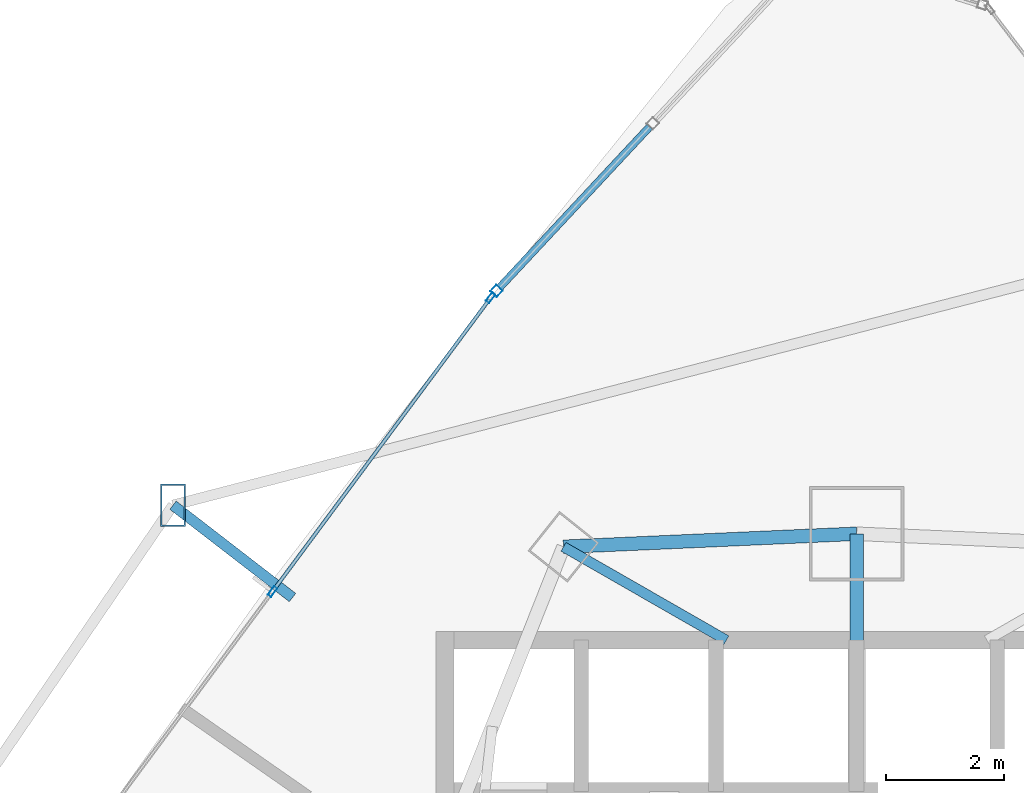
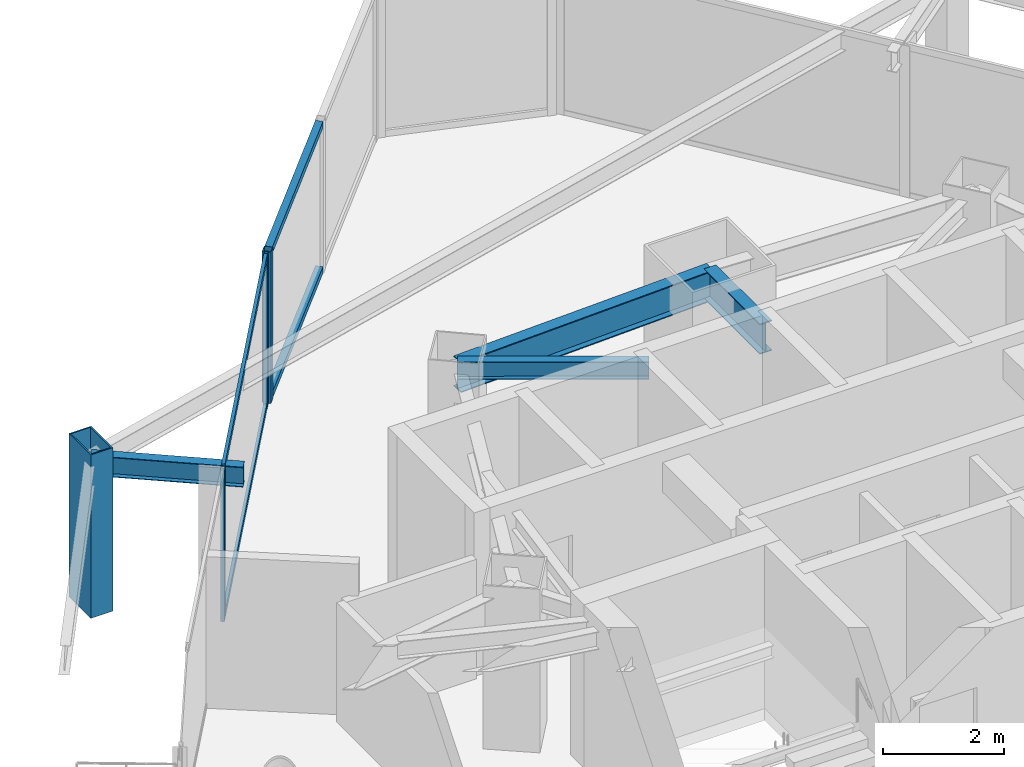
# One storey, part 22 of 34: 8 members, 4 beams, 2 elements without a shape of their own.
"""IFC4 building model written with IfcOpenShell, lengths in metres."""

from ifc_helpers import new_model, si_unit, direction, frame, origin, origin_2d, place, context, subcontext, project, spatial, hollow_rectangle, i_section, extrude, material, layer, layer_set, material_profile, profile_set, type_object, element, aggregate, save


model = new_model("IFC4")

# Units and contexts
model_context = context("Model", 3, precision=1e-05, world=origin(), true_north=direction((0.0, 1.0)))
body_context = subcontext(model_context, "Body", "Model", "MODEL_VIEW")
ifc_project = project(units=[si_unit("LENGTHUNIT", "METRE"), si_unit("AREAUNIT", "SQUARE_METRE"), si_unit("VOLUMEUNIT", "CUBIC_METRE"), si_unit("PLANEANGLEUNIT", "RADIAN"), si_unit("MASSUNIT", "GRAM", prefix="KILO")], contexts=[model_context])

# Site, building, storey
site_placement = place(None, origin())
site = spatial("IfcSite", under=ifc_project, at=site_placement, CompositionType="ELEMENT")
building_placement = place(site_placement, origin())
building = spatial("IfcBuilding", under=site, at=building_placement, Name="Orvanel Arch Residences", CompositionType="ELEMENT")
storey_placement = place(building_placement, frame((0.0, 0.0, 64.25)))
storey = spatial("IfcBuildingStorey", under=building, at=storey_placement, Name="L17", CompositionType="ELEMENT", Elevation=64.25)

# Beams
ifc_material_1 = material(Name="Structural steel AS/NZS 3679.1 Grade 300 (300 MPa)", Category="steel")
ifc_material_profile_1 = material_profile(ifc_material_1, i_section(OverallWidth=0.22900390625, OverallDepth=0.612060546875, WebThickness=0.011962890625, FlangeThickness=0.01953125, at=origin_2d()), Name="610UB125")
ifc_profile_set_1 = profile_set([ifc_material_profile_1], Name="Structural steel AS/NZS 3679.1 Grade 300 (300 MPa)")
beam_type_1 = type_object("IfcBeamType", Name="BG-610UB", PredefinedType="BEAM", material=ifc_profile_set_1)
beam_1_placement = place(storey_placement, frame((33.0, 39.550048828125, 2.75390625), z_axis=(0.0, 1.0, 0.0), x_axis=(-1.0, 0.0, 0.0)))
element("IfcBeam", 1, at=beam_1_placement, inside=storey, type_object=beam_type_1, Name="L17 North Radial Girder", PredefinedType="BEAM", context=body_context, shape_type="SweptSolid", body=[
    extrude(i_section(OverallWidth=0.22900390625, OverallDepth=0.612060546875, WebThickness=0.011962890625, FlangeThickness=0.01953125, at=origin_2d()), origin(), (0.0, 0.0, 1.0), 1.847900390625),
])
ifc_material_profile_2 = material_profile(ifc_material_1, i_section(OverallWidth=0.1708984375, OverallDepth=0.35595703125, WebThickness=0.00732421875, FlangeThickness=0.011474609375, at=origin_2d()), Name="360UB50.7")
ifc_profile_set_2 = profile_set([ifc_material_profile_2], Name="Structural steel AS/NZS 3679.1 Grade 300 (300 MPa)")
beam_type_2 = type_object("IfcBeamType", Name="BJ-360UB", PredefinedType="JOIST", material=ifc_profile_set_2)
beam_2_placement = place(storey_placement, frame((30.800048828125, 39.60009765625, 2.882080078125), z_axis=(-0.86736513383, 0.497672306458, 0.0), x_axis=(-0.497672306458, -0.86736513383, 0.0)))
element("IfcBeam", 2, at=beam_2_placement, inside=storey, type_object=beam_type_2, Name="L17 MNW Wing Floor Joist", PredefinedType="JOIST", context=body_context, shape_type="SweptSolid", body=[
    extrude(i_section(OverallWidth=0.1708984375, OverallDepth=0.35595703125, WebThickness=0.00732421875, FlangeThickness=0.011474609375, at=origin_2d()), origin(), (0.0, 0.0, 1.0), 3.17041015625),
])

# Member
ifc_material_2 = material(Name="Structural steel AS/NZS 3678 Grade 350", Category="steel")
ifc_material_profile_3 = material_profile(ifc_material_2, hollow_rectangle(XDim=0.419921875, YDim=0.719970703125, WallThickness=0.02490234375, at=origin_2d()), Name="RHS720x420x25")
ifc_profile_set_3 = profile_set([ifc_material_profile_3], Name="Structural steel AS/NZS 3678 Grade 350")
member_type_1 = type_object("IfcMemberType", Name="CH-720RHS-EXT", PredefinedType="CHORD", material=ifc_profile_set_3)
member_1_placement = place(storey_placement, frame((21.4580078125, 41.8798828125, 0.0), z_axis=(0.0, 0.0, 1.0), x_axis=(1.0, 0.0, 0.0)))
element("IfcMember", 3, at=member_1_placement, inside=storey, type_object=member_type_1, Name="L17 Outer Perimeter Frame Post 01", PredefinedType="CHORD", context=body_context, shape_type="SweptSolid", body=[
    extrude(hollow_rectangle(XDim=0.419921875, YDim=0.719970703125, WallThickness=0.02490234375, at=origin_2d()), origin(), (0.0, 0.0, 1.0), 3.300048828125),
])

# Curtain wall, member
ifc_material_3 = material(Name="Bronze-anodised aluminium AA6063-T6", Category="aluminium")
ifc_layer_1 = layer(ifc_material_3, 0.18994140625)
ifc_layer_set_1 = layer_set([ifc_layer_1], Name="Bronze-anodised aluminium AA6063-T6")
curtain_wall_type_1 = type_object("IfcCurtainWallType", Name="CW5-CRN-SYS", PredefinedType="NOTDEFINED", material=ifc_layer_set_1)
curtain_wall_1_placement = place(storey_placement, origin())
curtain_wall_1 = element("IfcCurtainWall", 4, at=curtain_wall_1_placement, inside=storey, type_object=curtain_wall_type_1, Name="L17 CW5-CRN-SYS Unitised Curtain Wall", PredefinedType="NOTDEFINED")
ifc_material_profile_4 = material_profile(ifc_material_3, hollow_rectangle(XDim=0.14990234375, YDim=0.14990234375, WallThickness=0.0048828125, at=origin_2d()), Name="ALU150x150x5")
ifc_profile_set_4 = profile_set([ifc_material_profile_4], Name="Bronze-anodised aluminium AA6063-T6")
member_type_2 = type_object("IfcMemberType", Name="MUL-150x150", PredefinedType="MULLION", material=ifc_profile_set_4)
member_2_placement = place(storey_placement, frame((26.918212890625, 45.496826171875, 0.0), z_axis=(0.0, 0.0, 1.0), x_axis=(0.731034183828, -0.682340840105, 0.0)))
member_2 = element("IfcMember", 5, at=member_2_placement, type_object=member_type_2, Name="CW-S5 mullion 3", PredefinedType="MULLION", context=body_context, shape_type="SweptSolid", body=[
    extrude(hollow_rectangle(XDim=0.14990234375, YDim=0.14990234375, WallThickness=0.0048828125, at=origin_2d()), origin(), (0.0, 0.0, 1.0), 3.06005859375),
])

# Curtain wall, members
ifc_layer_2 = layer(ifc_material_3, 0.179931640625)
ifc_layer_set_2 = layer_set([ifc_layer_2], Name="Bronze-anodised aluminium AA6063-T6")
curtain_wall_type_2 = type_object("IfcCurtainWallType", Name="CW2-LOW-SYS", PredefinedType="NOTDEFINED", material=ifc_layer_set_2)
curtain_wall_2_placement = place(storey_placement, origin())
curtain_wall_2 = element("IfcCurtainWall", 6, at=curtain_wall_2_placement, inside=storey, type_object=curtain_wall_type_2, Name="L17 CW2-LOW-SYS Unitised Curtain Wall", PredefinedType="NOTDEFINED")
ifc_material_profile_5 = material_profile(ifc_material_3, hollow_rectangle(XDim=0.070068359375, YDim=0.179931640625, WallThickness=0.00439453125, at=origin_2d()), Name="ALU180x70x4.5")
ifc_profile_set_5 = profile_set([ifc_material_profile_5], Name="Bronze-anodised aluminium AA6063-T6")
member_type_3 = type_object("IfcMemberType", Name="MUL-180x70", PredefinedType="MULLION", material=ifc_profile_set_5)
member_3_placement = place(storey_placement, frame((26.820068359375, 45.3828125, 0.0), z_axis=(0.0, 0.0, 1.0), x_axis=(0.802983727568, -0.596000950722, 0.0)))
member_3 = element("IfcMember", 7, at=member_3_placement, type_object=member_type_3, Name="CW-S2 mullion 1", PredefinedType="MULLION", context=body_context, shape_type="SweptSolid", body=[
    extrude(hollow_rectangle(XDim=0.070068359375, YDim=0.179931640625, WallThickness=0.00439453125, at=origin_2d()), origin(), (0.0, 0.0, 1.0), 3.06005859375),
])
member_4_placement = place(storey_placement, frame((23.137939453125, 40.422119140625, 0.0), z_axis=(0.0, 0.0, 1.0), x_axis=(0.802983727568, -0.596000950722, 0.0)))
member_4 = element("IfcMember", 8, at=member_4_placement, type_object=member_type_3, Name="CW-S2 mullion 2", PredefinedType="MULLION", context=body_context, shape_type="SweptSolid", body=[
    extrude(hollow_rectangle(XDim=0.070068359375, YDim=0.179931640625, WallThickness=0.00439453125, at=origin_2d()), origin(), (0.0, 0.0, 1.0), 3.06005859375),
])

# Beams
ifc_material_profile_6 = material_profile(ifc_material_1, i_section(OverallWidth=0.177978515625, OverallDepth=0.406005859375, WebThickness=0.0078125, FlangeThickness=0.0126953125, at=origin_2d()), Name="410UB59.7")
ifc_profile_set_6 = profile_set([ifc_material_profile_6], Name="Structural steel AS/NZS 3679.1 Grade 300 (300 MPa)")
beam_type_3 = type_object("IfcBeamType", Name="OB-410UB-EXT", PredefinedType="SPANDREL", material=ifc_profile_set_6)
beam_3_placement = place(storey_placement, frame((23.47607421875, 40.321044921875, 2.85693359375), z_axis=(-0.79139447768, 0.61130579966, 0.0), x_axis=(-0.61130579966, -0.79139447768, 0.0)))
element("IfcBeam", 9, at=beam_3_placement, inside=storey, type_object=beam_type_3, Name="L17 Outer Frame Radial Tie Beam 01", PredefinedType="SPANDREL", context=body_context, shape_type="SweptSolid", body=[
    extrude(i_section(OverallWidth=0.177978515625, OverallDepth=0.406005859375, WebThickness=0.0078125, FlangeThickness=0.0126953125, at=origin_2d()), origin(), (0.0, 0.0, 1.0), 2.550048828125),
])
ifc_material_profile_7 = material_profile(ifc_material_1, i_section(OverallWidth=0.22900390625, OverallDepth=0.612060546875, WebThickness=0.011962890625, FlangeThickness=0.01953125, at=origin_2d()), Name="610UB125")
ifc_profile_set_7 = profile_set([ifc_material_profile_7], Name="Structural steel AS/NZS 3679.1 Grade 300 (300 MPa)")
beam_type_4 = type_object("IfcBeamType", Name="SP-610UB", PredefinedType="SPANDREL", material=ifc_profile_set_7)
beam_4_placement = place(storey_placement, frame((33.0, 41.39794921875, 2.75390625), z_axis=(-0.999014049296, -0.044395149614, 0.0), x_axis=(0.044395149614, -0.999014049296, 0.0)))
element("IfcBeam", 10, at=beam_4_placement, inside=storey, type_object=beam_type_4, Name="L17 Perimeter Spandrel Beam 17", PredefinedType="SPANDREL", context=body_context, shape_type="SweptSolid", body=[
    extrude(i_section(OverallWidth=0.22900390625, OverallDepth=0.612060546875, WebThickness=0.011962890625, FlangeThickness=0.01953125, at=origin_2d()), origin(), (0.0, 0.0, 1.0), 4.954833984375),
])

# Member
ifc_material_profile_8 = material_profile(ifc_material_3, hollow_rectangle(XDim=0.1298828125, YDim=0.1298828125, WallThickness=0.00439453125, at=origin_2d()), Name="ALU130x130x4.5")
ifc_profile_set_8 = profile_set([ifc_material_profile_8], Name="Bronze-anodised aluminium AA6063-T6")
member_type_4 = type_object("IfcMemberType", Name="TRN-130x130", PredefinedType="USERDEFINED", material=ifc_profile_set_8)
member_5_placement = place(storey_placement, frame((29.50634765625, 48.269775390625, 0.06494140625), z_axis=(-0.682360360302, -0.731015963361, 0.0), x_axis=(0.731015963361, -0.682360360302, 0.0)))
member_5 = element("IfcMember", 11, at=member_5_placement, type_object=member_type_4, Name="CW-S5 transom 2.1", ObjectType="TRANSOM", PredefinedType="USERDEFINED", context=body_context, shape_type="SweptSolid", body=[
    extrude(hollow_rectangle(XDim=0.1298828125, YDim=0.1298828125, WallThickness=0.00439453125, at=origin_2d()), origin(), (0.0, 0.0, 1.0), 3.718017578125),
])

member_6_placement = place(storey_placement, frame((29.50634765625, 48.269775390625, 2.9951171875), z_axis=(-0.682360360302, -0.731015963361, 0.0), x_axis=(0.731015963361, -0.682360360302, 0.0)))
member_6 = element("IfcMember", 12, at=member_6_placement, type_object=member_type_4, Name="CW-S5 transom 2.2", ObjectType="TRANSOM", PredefinedType="USERDEFINED", context=body_context, shape_type="SweptSolid", body=[
    extrude(hollow_rectangle(XDim=0.1298828125, YDim=0.1298828125, WallThickness=0.00439453125, at=origin_2d()), origin(), (0.0, 0.0, 1.0), 3.718017578125),
])

aggregate(curtain_wall_1, [member_2, member_5, member_6])

ifc_material_profile_9 = material_profile(ifc_material_3, hollow_rectangle(XDim=0.06005859375, YDim=0.135009765625, WallThickness=0.00390625, at=origin_2d()), Name="ALU135x60x4")
ifc_profile_set_9 = profile_set([ifc_material_profile_9], Name="Bronze-anodised aluminium AA6063-T6")
member_type_5 = type_object("IfcMemberType", Name="TRN-135x60", PredefinedType="USERDEFINED", material=ifc_profile_set_9)
member_7_placement = place(storey_placement, frame((26.79931640625, 45.354736328125, 0.030029296875), z_axis=(-0.596008244944, -0.802978313505, 0.0), x_axis=(0.802978313505, -0.596008244944, 0.0)))
member_7 = element("IfcMember", 13, at=member_7_placement, type_object=member_type_5, Name="CW-S2 transom 1.1", ObjectType="TRANSOM", PredefinedType="USERDEFINED", context=body_context, shape_type="SweptSolid", body=[
    extrude(hollow_rectangle(XDim=0.06005859375, YDim=0.135009765625, WallThickness=0.00390625, at=origin_2d()), origin(), (0.0, 0.0, 1.0), 6.10791015625),
])

member_8_placement = place(storey_placement, frame((26.79931640625, 45.354736328125, 3.030029296875), z_axis=(-0.596008244944, -0.802978313505, 0.0), x_axis=(0.802978313505, -0.596008244944, 0.0)))
member_8 = element("IfcMember", 14, at=member_8_placement, type_object=member_type_5, Name="CW-S2 transom 1.2", ObjectType="TRANSOM", PredefinedType="USERDEFINED", context=body_context, shape_type="SweptSolid", body=[
    extrude(hollow_rectangle(XDim=0.06005859375, YDim=0.135009765625, WallThickness=0.00390625, at=origin_2d()), origin(), (0.0, 0.0, 1.0), 6.10791015625),
])

aggregate(curtain_wall_2, [member_3, member_4, member_7, member_8])

save(model, "model.ifc")
